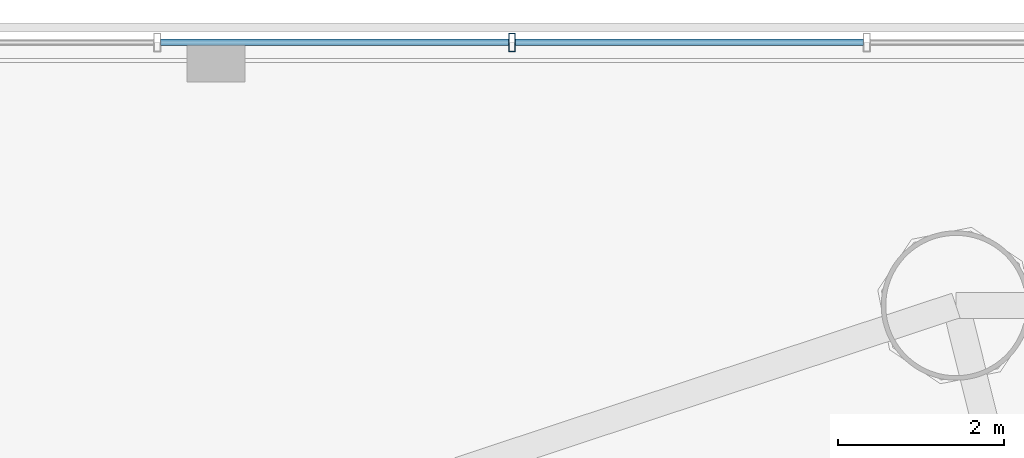
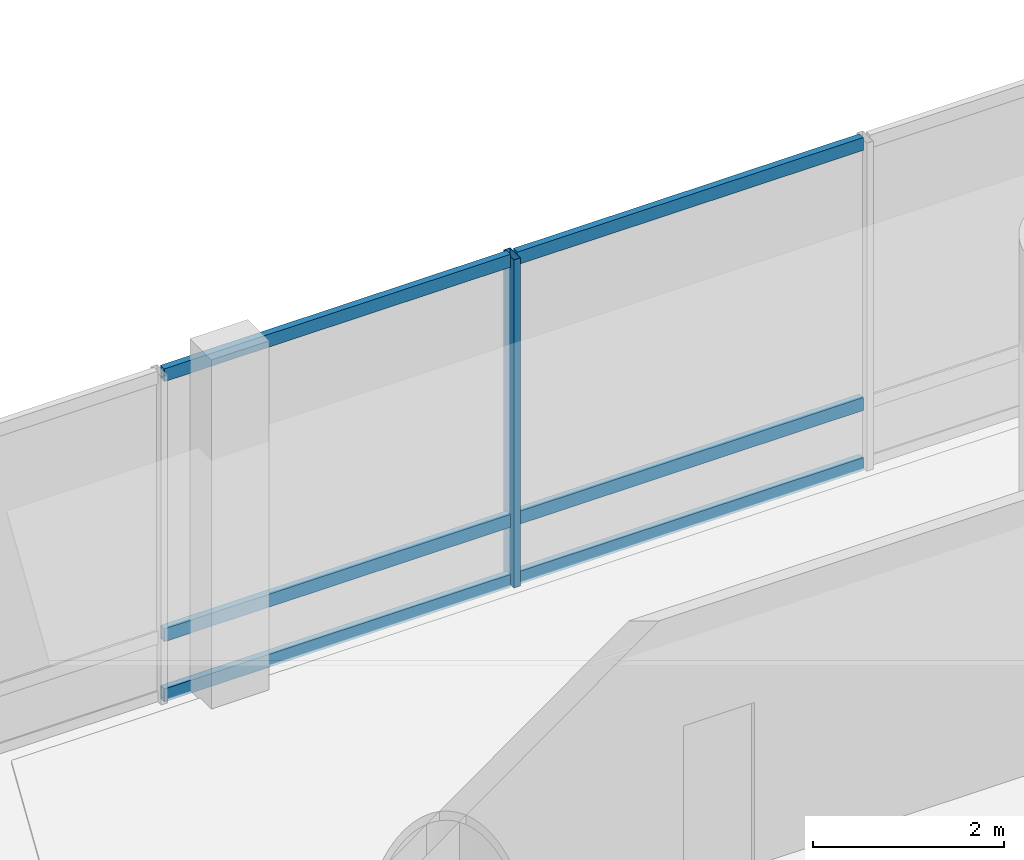
# One storey, part 12 of 36: 7 members, 1 element without a shape of its own.
"""IFC4 building model written with IfcOpenShell, lengths in metres."""

from ifc_helpers import new_model, si_unit, direction, frame, origin, origin_2d, place, context, subcontext, project, spatial, hollow_rectangle, extrude, source, transform, mapped, material, material_profile, profile_set, type_object, element, aggregate, save


model = new_model("IFC4")

# Units and contexts
model_context = context("Model", 3, precision=1e-05, world=origin(), true_north=direction((-0.2419218956, 0.970295726276)))
body_context = subcontext(model_context, "Body", "Model", "MODEL_VIEW")
ifc_project = project(units=[si_unit("LENGTHUNIT", "METRE"), si_unit("AREAUNIT", "SQUARE_METRE"), si_unit("VOLUMEUNIT", "CUBIC_METRE"), si_unit("PLANEANGLEUNIT", "RADIAN"), si_unit("MASSUNIT", "GRAM", prefix="KILO")], contexts=[model_context])

# Site, building, storey
site_placement = place(None, origin())
site = spatial("IfcSite", under=ifc_project, at=site_placement, CompositionType="ELEMENT")
building_placement = place(site_placement, origin())
building = spatial("IfcBuilding", under=site, at=building_placement, Name="Cobrevalo Terracotta Tower", CompositionType="ELEMENT")
storey_placement = place(building_placement, frame((0.0, 0.0, 9.89990234375)))
storey = spatial("IfcBuildingStorey", under=building, at=storey_placement, Name="L02", CompositionType="ELEMENT", Elevation=9.89990234375)

# Curtain wall, members
ifc_material = material(Name="Anodized aluminium", Category="aluminium")
curtain_wall_type = type_object("IfcCurtainWallType", Name="Podium gallery & conservatory curtain wall CW-S2", PredefinedType="NOTDEFINED", material=ifc_material)
curtain_wall_placement = place(storey_placement, origin())
curtain_wall = element("IfcCurtainWall", 1, at=curtain_wall_placement, inside=storey, type_object=curtain_wall_type, Name="L02 curtain wall CW-POD-L02-N", PredefinedType="NOTDEFINED")
ifc_material_profile_1 = material_profile(ifc_material, hollow_rectangle(XDim=0.080078125, YDim=0.219970703125, WallThickness=0.0048828125, at=origin_2d()), Name="CWM 80x220")
ifc_profile_set_1 = profile_set([ifc_material_profile_1], Name="Anodized aluminium")
member_type_1 = type_object("IfcMemberType", Name="Storefront & atrium aluminium mullion 80x220", PredefinedType="MULLION", material=ifc_profile_set_1)
shared_shape_1 = source(origin(), body_context, "Body", "SweptSolid", [
    extrude(hollow_rectangle(XDim=0.080078125, YDim=0.219970703125, WallThickness=0.0048828125, at=origin_2d()), origin(), (0.0, 0.0, 1.0), 4.2001953125),
])
member_1_placement = place(storey_placement, frame((27.316650390625, 51.39990234375, 0.0), z_axis=(0.0, 0.0, 1.0), x_axis=(-1.0, 0.0, 0.0)))
member_1 = element("IfcMember", 2, at=member_1_placement, type_object=member_type_1, Name="CW-POD-L02-N vertical mullion 11", PredefinedType="MULLION", context=body_context, shape_type="MappedRepresentation", body=[
    mapped(shared_shape_1, transform((0.0, 0.0, 0.0), scale=1.0)),
])
ifc_material_profile_2 = material_profile(ifc_material, hollow_rectangle(XDim=0.080078125, YDim=0.1650390625, WallThickness=0.00439453125, at=origin_2d()), Name="CWT 80x165")
ifc_profile_set_2 = profile_set([ifc_material_profile_2], Name="Anodized aluminium")
member_type_2 = type_object("IfcMemberType", Name="Storefront & atrium aluminium transom 80x165", PredefinedType="USERDEFINED", material=ifc_profile_set_2)
shared_shape_2 = source(origin(), body_context, "Body", "SweptSolid", [
    extrude(hollow_rectangle(XDim=0.080078125, YDim=0.1650390625, WallThickness=0.00439453125, at=origin_2d()), origin(), (0.0, 0.0, 1.0), 4.193359375),
])
member_2_placement = place(storey_placement, frame((31.550048828125, 51.39990234375, 0.050048828125), z_axis=(-1.0, 0.0, 0.0), x_axis=(0.0, -1.0, 0.0)))
member_2 = element("IfcMember", 3, at=member_2_placement, type_object=member_type_2, Name="CW-POD-L02-N transom B10-T1", ObjectType="TRANSOM", PredefinedType="USERDEFINED", context=body_context, shape_type="MappedRepresentation", body=[
    mapped(shared_shape_2, transform((0.0, 0.0, 0.0), scale=1.0)),
])
member_3_placement = place(storey_placement, frame((31.550048828125, 51.39990234375, 0.820068359375), z_axis=(-1.0, 0.0, 0.0), x_axis=(0.0, -1.0, 0.0)))
member_3 = element("IfcMember", 4, at=member_3_placement, type_object=member_type_2, Name="CW-POD-L02-N transom B10-T2", ObjectType="TRANSOM", PredefinedType="USERDEFINED", context=body_context, shape_type="MappedRepresentation", body=[
    mapped(shared_shape_2, transform((0.0, 0.0, 0.0), scale=1.0)),
])
member_4_placement = place(storey_placement, frame((31.550048828125, 51.39990234375, 4.150146484375), z_axis=(-1.0, 0.0, 0.0), x_axis=(0.0, -1.0, 0.0)))
member_4 = element("IfcMember", 5, at=member_4_placement, type_object=member_type_2, Name="CW-POD-L02-N transom B10-T3", ObjectType="TRANSOM", PredefinedType="USERDEFINED", context=body_context, shape_type="MappedRepresentation", body=[
    mapped(shared_shape_2, transform((0.0, 0.0, 0.0), scale=1.0)),
])
member_5_placement = place(storey_placement, frame((27.276611328125, 51.39990234375, 0.050048828125), z_axis=(-1.0, 0.0, 0.0), x_axis=(0.0, -1.0, 0.0)))
member_5 = element("IfcMember", 6, at=member_5_placement, type_object=member_type_2, Name="CW-POD-L02-N transom B11-T1", ObjectType="TRANSOM", PredefinedType="USERDEFINED", context=body_context, shape_type="MappedRepresentation", body=[
    mapped(shared_shape_2, transform((0.0, 0.0, 0.0), scale=1.0)),
])
member_6_placement = place(storey_placement, frame((27.276611328125, 51.39990234375, 0.820068359375), z_axis=(-1.0, 0.0, 0.0), x_axis=(0.0, -1.0, 0.0)))
member_6 = element("IfcMember", 7, at=member_6_placement, type_object=member_type_2, Name="CW-POD-L02-N transom B11-T2", ObjectType="TRANSOM", PredefinedType="USERDEFINED", context=body_context, shape_type="MappedRepresentation", body=[
    mapped(shared_shape_2, transform((0.0, 0.0, 0.0), scale=1.0)),
])
member_7_placement = place(storey_placement, frame((27.276611328125, 51.39990234375, 4.150146484375), z_axis=(-1.0, 0.0, 0.0), x_axis=(0.0, -1.0, 0.0)))
member_7 = element("IfcMember", 8, at=member_7_placement, type_object=member_type_2, Name="CW-POD-L02-N transom B11-T3", ObjectType="TRANSOM", PredefinedType="USERDEFINED", context=body_context, shape_type="MappedRepresentation", body=[
    mapped(shared_shape_2, transform((0.0, 0.0, 0.0), scale=1.0)),
])
aggregate(curtain_wall, [member_1, member_2, member_3, member_4, member_5, member_6, member_7])

save(model, "model.ifc")
